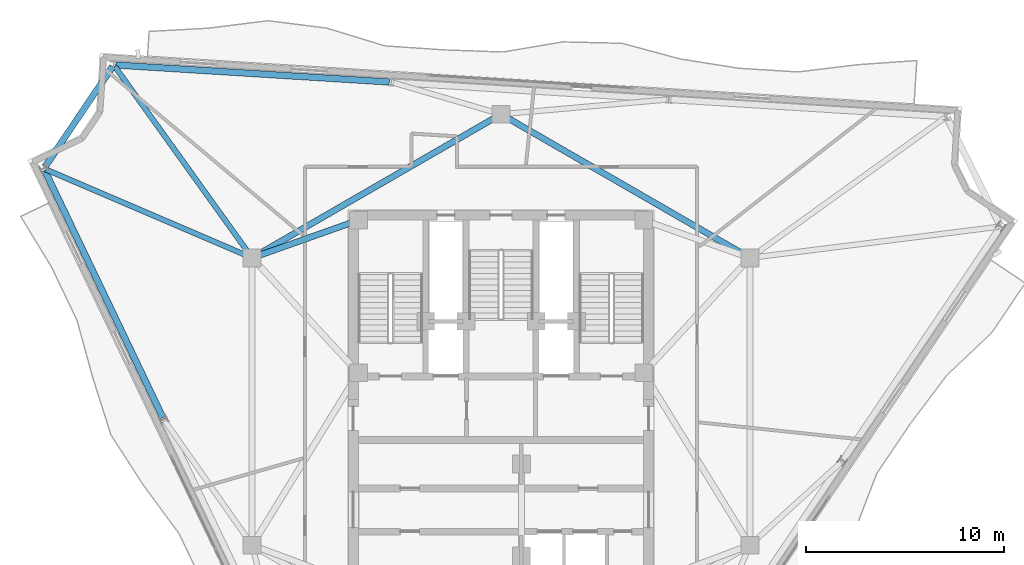
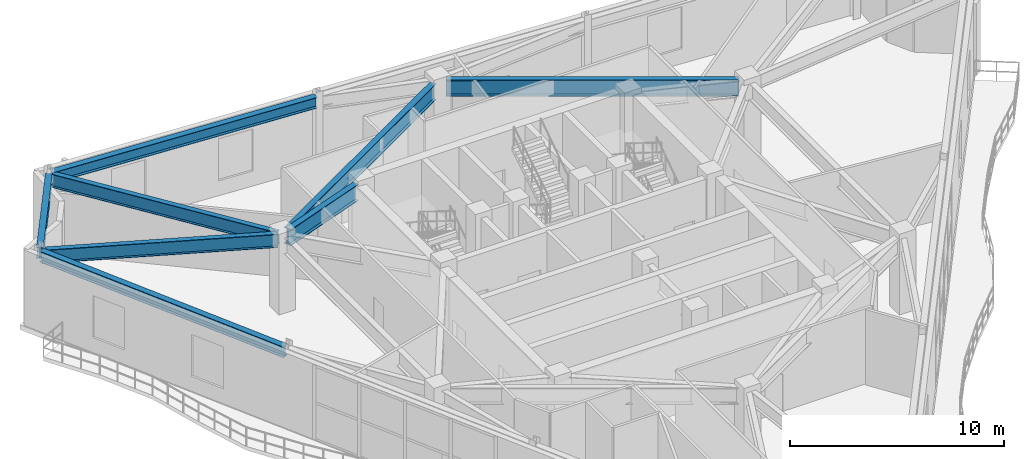
# One storey, part 7 of 15: 8 beams.
"""IFC4 building model written with IfcOpenShell, lengths in metres."""

from ifc_helpers import new_model, si_unit, direction, frame, origin, origin_2d, place, context, subcontext, project, spatial, i_section, extrude, material, material_profile, profile_set, type_object, element, save


model = new_model("IFC4")

# Units and contexts
model_context = context("Model", 3, precision=1e-05, world=origin(), true_north=direction((0.0, 1.0)))
body_context = subcontext(model_context, "Body", "Model", "MODEL_VIEW")
ifc_project = project(units=[si_unit("LENGTHUNIT", "METRE"), si_unit("AREAUNIT", "SQUARE_METRE"), si_unit("VOLUMEUNIT", "CUBIC_METRE"), si_unit("PLANEANGLEUNIT", "RADIAN"), si_unit("MASSUNIT", "GRAM", prefix="KILO")], contexts=[model_context])

# Site, building, storey
site_placement = place(None, origin())
site = spatial("IfcSite", under=ifc_project, at=site_placement, CompositionType="ELEMENT")
building_placement = place(site_placement, origin())
building = spatial("IfcBuilding", under=site, at=building_placement, Name="Apsidion Concourse Tower", CompositionType="ELEMENT")
storey_placement = place(building_placement, frame((0.0, 0.0, 323.39990234375)))
storey = spatial("IfcBuildingStorey", under=building, at=storey_placement, Name="L76", CompositionType="ELEMENT", Elevation=323.39990234375)

# Beams
ifc_material = material(Name="Structural steel ASTM A992 Grade 50", Category="steel")
ifc_material_profile_1 = material_profile(ifc_material, i_section(OverallWidth=0.31005859375, OverallDepth=0.931884765625, WebThickness=0.02099609375, FlangeThickness=0.034423828125, at=origin_2d()), Name="W36X210")
ifc_profile_set_1 = profile_set([ifc_material_profile_1], Name="Structural steel ASTM A992 Grade 50")
beam_type_1 = type_object("IfcBeamType", Name="BM-G-W36", PredefinedType="USERDEFINED", material=ifc_profile_set_1)
beam_1_placement = place(storey_placement, frame((-12.18310546875, 7.383544921875, 3.833984375), z_axis=(0.942533844539, 0.334110688094, 0.0), x_axis=(-0.334110688094, 0.942533844539, 0.0)))
element("IfcBeam", 1, at=beam_1_placement, inside=storey, type_object=beam_type_1, Name="L76 Core Coupling Girder IC5-SC5", ObjectType="GIRDER", PredefinedType="USERDEFINED", context=body_context, shape_type="SweptSolid", body=[
    extrude(i_section(OverallWidth=0.31005859375, OverallDepth=0.931884765625, WebThickness=0.02099609375, FlangeThickness=0.034423828125, at=origin_2d()), origin(), (0.0, 0.0, 1.0), 4.886962890625),
])
for number, where, z_axis, x_axis, name in (
    (2, (-12.213623046875, 7.449951171875, 3.833984375), (0.866070471464, 0.499921932364, 0.0), (-0.499921932364, 0.866070471464, 0.0), "L76 Core Coupling Girder IC5-IC4"),
    (3, (0.346435546875, 14.300048828125, 3.833984375), (0.866070471464, -0.499921932364, 0.0), (0.499921932364, 0.866070471464, 0.0), "L76 Core Coupling Girder IC4-IC3"),
):
    element("IfcBeam", number, at=place(storey_placement, frame(where, z_axis=z_axis, x_axis=x_axis)), inside=storey, type_object=beam_type_1, Name=name, ObjectType="GIRDER", PredefinedType="USERDEFINED", context=body_context, shape_type="SweptSolid", body=[
        extrude(i_section(OverallWidth=0.31005859375, OverallDepth=0.931884765625, WebThickness=0.02099609375, FlangeThickness=0.034423828125, at=origin_2d()), origin(), (0.0, 0.0, 1.0), 13.702392578125),
    ])
ifc_material_profile_2 = material_profile(ifc_material, i_section(OverallWidth=0.324951171875, OverallDepth=0.616943359375, WebThickness=0.013916015625, FlangeThickness=0.021484375, at=origin_2d()), Name="W24X117")
ifc_profile_set_2 = profile_set([ifc_material_profile_2], Name="Structural steel ASTM A992 Grade 50")
beam_type_2 = type_object("IfcBeamType", Name="BM-SP-W24", PredefinedType="SPANDREL", material=ifc_profile_set_2)
for number, where, z_axis, x_axis, name in (
    (4, (-23.0302734375, 11.66845703125, 3.99169921875), (0.431360581796, -0.902179609874, 0.0), (0.902179609874, 0.431360581796, 0.0), "L76 Perimeter Spandrel Girder SP-01"),
    (5, (-5.637939453125, 16.12451171875, 3.99169921875), (-0.998076537228, 0.061993756414, 0.0), (-0.061993756414, -0.998076537228, 0.0), "L76 Perimeter Spandrel Girder SP-11"),
):
    element("IfcBeam", number, at=place(storey_placement, frame(where, z_axis=z_axis, x_axis=x_axis)), inside=storey, type_object=beam_type_2, Name=name, PredefinedType="SPANDREL", context=body_context, shape_type="SweptSolid", body=[
        extrude(i_section(OverallWidth=0.324951171875, OverallDepth=0.616943359375, WebThickness=0.013916015625, FlangeThickness=0.021484375, at=origin_2d()), origin(), (0.0, 0.0, 1.0), 13.834716796875),
    ])
beam_2_placement = place(storey_placement, frame((-19.601806640625, 16.905517578125, 3.99169921875), z_axis=(-0.559174891641, -0.829049721403, 0.0), x_axis=(0.829049721403, -0.559174891641, 0.0)))
element("IfcBeam", 6, at=beam_2_placement, inside=storey, type_object=beam_type_2, Name="L76 Perimeter Spandrel Girder SP-12", PredefinedType="SPANDREL", context=body_context, shape_type="SweptSolid", body=[
    extrude(i_section(OverallWidth=0.324951171875, OverallDepth=0.616943359375, WebThickness=0.013916015625, FlangeThickness=0.021484375, at=origin_2d()), origin(), (0.0, 0.0, 1.0), 6.108154296875),
])
ifc_material_profile_3 = material_profile(ifc_material, i_section(OverallWidth=0.26806640625, OverallDepth=0.77001953125, WebThickness=0.015625, FlangeThickness=0.025390625, at=origin_2d()), Name="W30X132")
ifc_profile_set_3 = profile_set([ifc_material_profile_3], Name="Structural steel ASTM A992 Grade 50")
beam_type_3 = type_object("IfcBeamType", Name="BM-SP-W30", PredefinedType="SPANDREL", material=ifc_profile_set_3)
beam_3_placement = place(storey_placement, frame((-12.76220703125, 7.336669921875, 3.9150390625), z_axis=(-0.919050742632, 0.3941392298, 0.0), x_axis=(-0.3941392298, -0.919050742632, 0.0)))
element("IfcBeam", 7, at=beam_3_placement, inside=storey, type_object=beam_type_3, Name="L76 Radial Floor Girder RAD-01", PredefinedType="SPANDREL", context=body_context, shape_type="SweptSolid", body=[
    extrude(i_section(OverallWidth=0.26806640625, OverallDepth=0.77001953125, WebThickness=0.015625, FlangeThickness=0.025390625, at=origin_2d()), origin(), (0.0, 0.0, 1.0), 11.119384765625),
])
beam_4_placement = place(storey_placement, frame((-12.688232421875, 7.4287109375, 3.9150390625), z_axis=(-0.582890152065, 0.812550964941, 0.0), x_axis=(-0.812550964941, -0.582890152065, 0.0)))
element("IfcBeam", 8, at=beam_4_placement, inside=storey, type_object=beam_type_3, Name="L76 Radial Floor Girder RAD-12", PredefinedType="SPANDREL", context=body_context, shape_type="SweptSolid", body=[
    extrude(i_section(OverallWidth=0.26806640625, OverallDepth=0.77001953125, WebThickness=0.015625, FlangeThickness=0.025390625, at=origin_2d()), origin(), (0.0, 0.0, 1.0), 11.664794921875),
])

save(model, "model.ifc")
